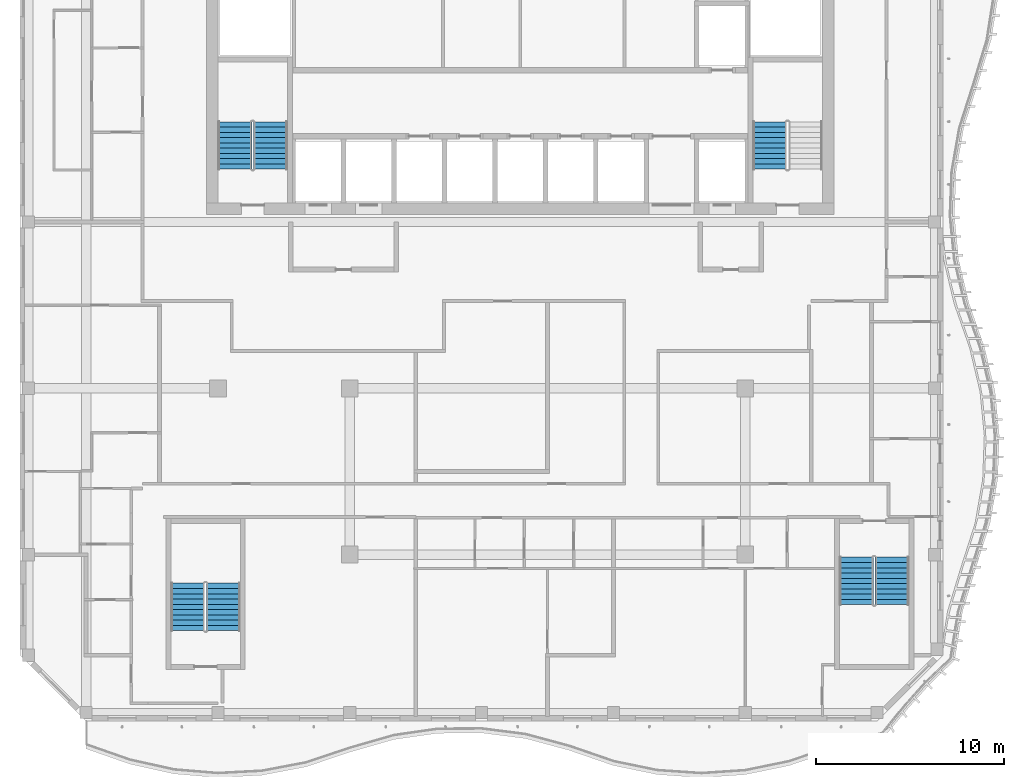
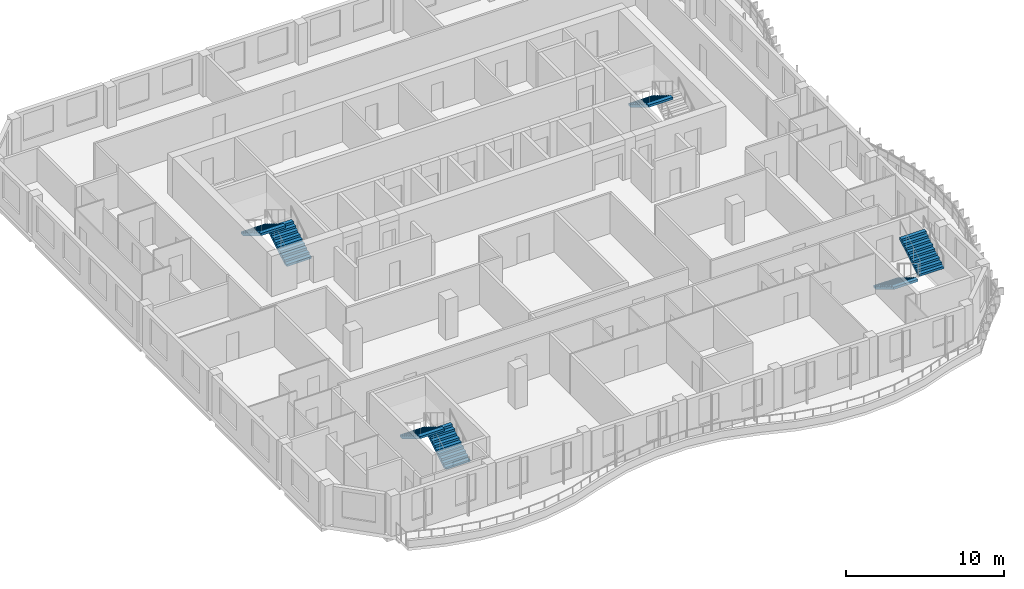
# One storey, part 10 of 18: 7 stair flights, 4 elements without a shape of their own.
"""IFC4 building model written with IfcOpenShell, lengths in metres."""

from ifc_helpers import new_model, si_unit, direction, frame, origin, place, context, subcontext, project, spatial, triangles, source, transform, mapped, material, type_object, element, aggregate, save


model = new_model("IFC4")

# Units and contexts
model_context = context("Model", 3, precision=1e-05, world=origin(), true_north=direction((0.0, 1.0)))
body_context = subcontext(model_context, "Body", "Model", "MODEL_VIEW")
ifc_project = project(units=[si_unit("LENGTHUNIT", "METRE"), si_unit("AREAUNIT", "SQUARE_METRE"), si_unit("VOLUMEUNIT", "CUBIC_METRE"), si_unit("PLANEANGLEUNIT", "RADIAN"), si_unit("MASSUNIT", "GRAM", prefix="KILO")], contexts=[model_context])

# Site, building, storey
site_placement = place(None, origin())
site = spatial("IfcSite", under=ifc_project, at=site_placement, CompositionType="ELEMENT")
building_placement = place(site_placement, origin())
building = spatial("IfcBuilding", under=site, at=building_placement, Name="Kilnfold Tower and Market Hall", CompositionType="ELEMENT")
storey_placement = place(building_placement, frame((0.0, 0.0, 270.39990234375)))
storey = spatial("IfcBuildingStorey", under=building, at=storey_placement, Name="L66", CompositionType="ELEMENT", Elevation=270.39990234375)

# Stair, stair flights
ifc_material_1 = material(Name="Concrete C40/50", Category="concrete")
stair_type = type_object("IfcStairType", Name="CORE STAIR 1800", PredefinedType="HALF_TURN_STAIR", material=ifc_material_1)
stair_1_placement = place(storey_placement, origin())
stair_1 = element("IfcStair", 1, at=stair_1_placement, inside=storey, type_object=stair_type, Name="L66 ST1", PredefinedType="HALF_TURN_STAIR")
ifc_material_2 = material(Name="Concrete C40/50", Category="concrete")
stair_flight_type = type_object("IfcStairFlightType", Name="CORE STAIR FLIGHT 1800", PredefinedType="STRAIGHT", material=ifc_material_2)
shared_shape = source(origin(), body_context, "Body", "Tessellation", [
    triangles([(0.0, 0.89990234375, 0.0), (0.0, 0.78759765625, 0.0), (0.0, 0.675048828125, 0.0), (0.0, 0.5625, 0.0), (0.0, 0.449951171875, 0.0), (0.0, 0.33740234375, 0.0), (0.0, 0.22509765625, 0.0), (0.0, 0.112548828125, 0.0), (0.0, 0.0, 0.0), (0.0, -0.112548828125, 0.0), (0.0, -0.22509765625, 0.0), (0.0, -0.33740234375, 0.0), (0.0, -0.449951171875, 0.0), (0.0, -0.5625, 0.0), (0.0, -0.675048828125, 0.0), (0.0, -0.78759765625, 0.0), (0.0, -0.89990234375, 0.0), (0.0, 0.89990234375, 0.169921875), (0.0, 0.78759765625, 0.169921875), (0.0, 0.675048828125, 0.169921875), (0.0, 0.5625, 0.169921875), (0.0, 0.449951171875, 0.169921875), (0.0, 0.33740234375, 0.169921875), (0.0, 0.22509765625, 0.169921875), (0.0, 0.112548828125, 0.169921875), (0.0, 0.0, 0.169921875), (0.0, -0.112548828125, 0.169921875), (0.0, -0.22509765625, 0.169921875), (0.0, -0.33740234375, 0.169921875), (0.0, -0.449951171875, 0.169921875), (0.0, -0.5625, 0.169921875), (0.0, -0.675048828125, 0.169921875), (0.0, -0.78759765625, 0.169921875), (0.0, -0.89990234375, 0.169921875), (0.280029296875, 0.89990234375, 0.169921875), (0.280029296875, 0.78759765625, 0.169921875), (0.280029296875, 0.675048828125, 0.169921875), (0.280029296875, 0.5625, 0.169921875), (0.280029296875, 0.449951171875, 0.169921875), (0.280029296875, 0.33740234375, 0.169921875), (0.280029296875, 0.22509765625, 0.169921875), (0.280029296875, 0.112548828125, 0.169921875), (0.280029296875, 0.0, 0.169921875), (0.280029296875, -0.112548828125, 0.169921875), (0.280029296875, -0.22509765625, 0.169921875), (0.280029296875, -0.33740234375, 0.169921875), (0.280029296875, -0.449951171875, 0.169921875), (0.280029296875, -0.5625, 0.169921875), (0.280029296875, -0.675048828125, 0.169921875), (0.280029296875, -0.78759765625, 0.169921875), (0.280029296875, -0.89990234375, 0.169921875), (0.280029296875, 0.89990234375, 0.340087890625), (0.280029296875, 0.78759765625, 0.340087890625), (0.280029296875, 0.675048828125, 0.340087890625), (0.280029296875, 0.5625, 0.340087890625), (0.280029296875, 0.449951171875, 0.340087890625), (0.280029296875, 0.33740234375, 0.340087890625), (0.280029296875, 0.22509765625, 0.340087890625), (0.280029296875, 0.112548828125, 0.340087890625), (0.280029296875, 0.0, 0.340087890625), (0.280029296875, -0.112548828125, 0.340087890625), (0.280029296875, -0.22509765625, 0.340087890625), (0.280029296875, -0.33740234375, 0.340087890625), (0.280029296875, -0.449951171875, 0.340087890625), (0.280029296875, -0.5625, 0.340087890625), (0.280029296875, -0.675048828125, 0.340087890625), (0.280029296875, -0.78759765625, 0.340087890625), (0.280029296875, -0.89990234375, 0.340087890625), (0.56005859375, 0.89990234375, 0.340087890625), (0.56005859375, 0.78759765625, 0.340087890625), (0.56005859375, 0.675048828125, 0.340087890625), (0.56005859375, 0.5625, 0.340087890625), (0.56005859375, 0.449951171875, 0.340087890625), (0.56005859375, 0.33740234375, 0.340087890625), (0.56005859375, 0.22509765625, 0.340087890625), (0.56005859375, 0.112548828125, 0.340087890625), (0.56005859375, 0.0, 0.340087890625), (0.56005859375, -0.112548828125, 0.340087890625), (0.56005859375, -0.22509765625, 0.340087890625), (0.56005859375, -0.33740234375, 0.340087890625), (0.56005859375, -0.449951171875, 0.340087890625), (0.56005859375, -0.5625, 0.340087890625), (0.56005859375, -0.675048828125, 0.340087890625), (0.56005859375, -0.78759765625, 0.340087890625), (0.56005859375, -0.89990234375, 0.340087890625), (0.56005859375, 0.89990234375, 0.510009765625), (0.56005859375, 0.78759765625, 0.510009765625), (0.56005859375, 0.675048828125, 0.510009765625), (0.56005859375, 0.5625, 0.510009765625), (0.56005859375, 0.449951171875, 0.510009765625), (0.56005859375, 0.33740234375, 0.510009765625), (0.56005859375, 0.22509765625, 0.510009765625), (0.56005859375, 0.112548828125, 0.510009765625), (0.56005859375, 0.0, 0.510009765625), (0.56005859375, -0.112548828125, 0.510009765625), (0.56005859375, -0.22509765625, 0.510009765625), (0.56005859375, -0.33740234375, 0.510009765625), (0.56005859375, -0.449951171875, 0.510009765625), (0.56005859375, -0.5625, 0.510009765625), (0.56005859375, -0.675048828125, 0.510009765625), (0.56005859375, -0.78759765625, 0.510009765625), (0.56005859375, -0.89990234375, 0.510009765625), (0.840087890625, 0.89990234375, 0.510009765625), (0.840087890625, 0.78759765625, 0.510009765625), (0.840087890625, 0.675048828125, 0.510009765625), (0.840087890625, 0.5625, 0.510009765625), (0.840087890625, 0.449951171875, 0.510009765625), (0.840087890625, 0.33740234375, 0.510009765625), (0.840087890625, 0.22509765625, 0.510009765625), (0.840087890625, 0.112548828125, 0.510009765625), (0.840087890625, 0.0, 0.510009765625), (0.840087890625, -0.112548828125, 0.510009765625), (0.840087890625, -0.22509765625, 0.510009765625), (0.840087890625, -0.33740234375, 0.510009765625), (0.840087890625, -0.449951171875, 0.510009765625), (0.840087890625, -0.5625, 0.510009765625), (0.840087890625, -0.675048828125, 0.510009765625), (0.840087890625, -0.78759765625, 0.510009765625), (0.840087890625, -0.89990234375, 0.510009765625), (0.840087890625, 0.89990234375, 0.679931640625), (0.840087890625, 0.78759765625, 0.679931640625), (0.840087890625, 0.675048828125, 0.679931640625), (0.840087890625, 0.5625, 0.679931640625), (0.840087890625, 0.449951171875, 0.679931640625), (0.840087890625, 0.33740234375, 0.679931640625), (0.840087890625, 0.22509765625, 0.679931640625), (0.840087890625, 0.112548828125, 0.679931640625), (0.840087890625, 0.0, 0.679931640625), (0.840087890625, -0.112548828125, 0.679931640625), (0.840087890625, -0.22509765625, 0.679931640625), (0.840087890625, -0.33740234375, 0.679931640625), (0.840087890625, -0.449951171875, 0.679931640625), (0.840087890625, -0.5625, 0.679931640625), (0.840087890625, -0.675048828125, 0.679931640625), (0.840087890625, -0.78759765625, 0.679931640625), (0.840087890625, -0.89990234375, 0.679931640625), (1.1201171875, 0.89990234375, 0.679931640625), (1.1201171875, 0.78759765625, 0.679931640625), (1.1201171875, 0.675048828125, 0.679931640625), (1.1201171875, 0.5625, 0.679931640625), (1.1201171875, 0.449951171875, 0.679931640625), (1.1201171875, 0.33740234375, 0.679931640625), (1.1201171875, 0.22509765625, 0.679931640625), (1.1201171875, 0.112548828125, 0.679931640625), (1.1201171875, 0.0, 0.679931640625), (1.1201171875, -0.112548828125, 0.679931640625), (1.1201171875, -0.22509765625, 0.679931640625), (1.1201171875, -0.33740234375, 0.679931640625), (1.1201171875, -0.449951171875, 0.679931640625), (1.1201171875, -0.5625, 0.679931640625), (1.1201171875, -0.675048828125, 0.679931640625), (1.1201171875, -0.78759765625, 0.679931640625), (1.1201171875, -0.89990234375, 0.679931640625), (1.1201171875, 0.89990234375, 0.85009765625), (1.1201171875, 0.78759765625, 0.85009765625), (1.1201171875, 0.675048828125, 0.85009765625), (1.1201171875, 0.5625, 0.85009765625), (1.1201171875, 0.449951171875, 0.85009765625), (1.1201171875, 0.33740234375, 0.85009765625), (1.1201171875, 0.22509765625, 0.85009765625), (1.1201171875, 0.112548828125, 0.85009765625), (1.1201171875, 0.0, 0.85009765625), (1.1201171875, -0.112548828125, 0.85009765625), (1.1201171875, -0.22509765625, 0.85009765625), (1.1201171875, -0.33740234375, 0.85009765625), (1.1201171875, -0.449951171875, 0.85009765625), (1.1201171875, -0.5625, 0.85009765625), (1.1201171875, -0.675048828125, 0.85009765625), (1.1201171875, -0.78759765625, 0.85009765625), (1.1201171875, -0.89990234375, 0.85009765625), (1.39990234375, 0.89990234375, 0.85009765625), (1.39990234375, 0.78759765625, 0.85009765625), (1.39990234375, 0.675048828125, 0.85009765625), (1.39990234375, 0.5625, 0.85009765625), (1.39990234375, 0.449951171875, 0.85009765625), (1.39990234375, 0.33740234375, 0.85009765625), (1.39990234375, 0.22509765625, 0.85009765625), (1.39990234375, 0.112548828125, 0.85009765625), (1.39990234375, 0.0, 0.85009765625), (1.39990234375, -0.112548828125, 0.85009765625), (1.39990234375, -0.22509765625, 0.85009765625), (1.39990234375, -0.33740234375, 0.85009765625), (1.39990234375, -0.449951171875, 0.85009765625), (1.39990234375, -0.5625, 0.85009765625), (1.39990234375, -0.675048828125, 0.85009765625), (1.39990234375, -0.78759765625, 0.85009765625), (1.39990234375, -0.89990234375, 0.85009765625), (1.39990234375, 0.89990234375, 1.02001953125), (1.39990234375, 0.78759765625, 1.02001953125), (1.39990234375, 0.675048828125, 1.02001953125), (1.39990234375, 0.5625, 1.02001953125), (1.39990234375, 0.449951171875, 1.02001953125), (1.39990234375, 0.33740234375, 1.02001953125), (1.39990234375, 0.22509765625, 1.02001953125), (1.39990234375, 0.112548828125, 1.02001953125), (1.39990234375, 0.0, 1.02001953125), (1.39990234375, -0.112548828125, 1.02001953125), (1.39990234375, -0.22509765625, 1.02001953125), (1.39990234375, -0.33740234375, 1.02001953125), (1.39990234375, -0.449951171875, 1.02001953125), (1.39990234375, -0.5625, 1.02001953125), (1.39990234375, -0.675048828125, 1.02001953125), (1.39990234375, -0.78759765625, 1.02001953125), (1.39990234375, -0.89990234375, 1.02001953125), (1.679931640625, 0.89990234375, 1.02001953125), (1.679931640625, 0.78759765625, 1.02001953125), (1.679931640625, 0.675048828125, 1.02001953125), (1.679931640625, 0.5625, 1.02001953125), (1.679931640625, 0.449951171875, 1.02001953125), (1.679931640625, 0.33740234375, 1.02001953125), (1.679931640625, 0.22509765625, 1.02001953125), (1.679931640625, 0.112548828125, 1.02001953125), (1.679931640625, 0.0, 1.02001953125), (1.679931640625, -0.112548828125, 1.02001953125), (1.679931640625, -0.22509765625, 1.02001953125), (1.679931640625, -0.33740234375, 1.02001953125), (1.679931640625, -0.449951171875, 1.02001953125), (1.679931640625, -0.5625, 1.02001953125), (1.679931640625, -0.675048828125, 1.02001953125), (1.679931640625, -0.78759765625, 1.02001953125), (1.679931640625, -0.89990234375, 1.02001953125), (1.679931640625, 0.89990234375, 1.18994140625), (1.679931640625, 0.78759765625, 1.18994140625), (1.679931640625, 0.675048828125, 1.18994140625), (1.679931640625, 0.5625, 1.18994140625), (1.679931640625, 0.449951171875, 1.18994140625), (1.679931640625, 0.33740234375, 1.18994140625), (1.679931640625, 0.22509765625, 1.18994140625), (1.679931640625, 0.112548828125, 1.18994140625), (1.679931640625, 0.0, 1.18994140625), (1.679931640625, -0.112548828125, 1.18994140625), (1.679931640625, -0.22509765625, 1.18994140625), (1.679931640625, -0.33740234375, 1.18994140625), (1.679931640625, -0.449951171875, 1.18994140625), (1.679931640625, -0.5625, 1.18994140625), (1.679931640625, -0.675048828125, 1.18994140625), (1.679931640625, -0.78759765625, 1.18994140625), (1.679931640625, -0.89990234375, 1.18994140625), (1.9599609375, 0.89990234375, 1.18994140625), (1.9599609375, 0.78759765625, 1.18994140625), (1.9599609375, 0.675048828125, 1.18994140625), (1.9599609375, 0.5625, 1.18994140625), (1.9599609375, 0.449951171875, 1.18994140625), (1.9599609375, 0.33740234375, 1.18994140625), (1.9599609375, 0.22509765625, 1.18994140625), (1.9599609375, 0.112548828125, 1.18994140625), (1.9599609375, 0.0, 1.18994140625), (1.9599609375, -0.112548828125, 1.18994140625), (1.9599609375, -0.22509765625, 1.18994140625), (1.9599609375, -0.33740234375, 1.18994140625), (1.9599609375, -0.449951171875, 1.18994140625), (1.9599609375, -0.5625, 1.18994140625), (1.9599609375, -0.675048828125, 1.18994140625), (1.9599609375, -0.78759765625, 1.18994140625), (1.9599609375, -0.89990234375, 1.18994140625), (1.9599609375, 0.89990234375, 1.360107421875), (1.9599609375, 0.78759765625, 1.360107421875), (1.9599609375, 0.675048828125, 1.360107421875), (1.9599609375, 0.5625, 1.360107421875), (1.9599609375, 0.449951171875, 1.360107421875), (1.9599609375, 0.33740234375, 1.360107421875), (1.9599609375, 0.22509765625, 1.360107421875), (1.9599609375, 0.112548828125, 1.360107421875), (1.9599609375, 0.0, 1.360107421875), (1.9599609375, -0.112548828125, 1.360107421875), (1.9599609375, -0.22509765625, 1.360107421875), (1.9599609375, -0.33740234375, 1.360107421875), (1.9599609375, -0.449951171875, 1.360107421875), (1.9599609375, -0.5625, 1.360107421875), (1.9599609375, -0.675048828125, 1.360107421875), (1.9599609375, -0.78759765625, 1.360107421875), (1.9599609375, -0.89990234375, 1.360107421875), (2.239990234375, 0.89990234375, 1.360107421875), (2.239990234375, 0.78759765625, 1.360107421875), (2.239990234375, 0.675048828125, 1.360107421875), (2.239990234375, 0.5625, 1.360107421875), (2.239990234375, 0.449951171875, 1.360107421875), (2.239990234375, 0.33740234375, 1.360107421875), (2.239990234375, 0.22509765625, 1.360107421875), (2.239990234375, 0.112548828125, 1.360107421875), (2.239990234375, 0.0, 1.360107421875), (2.239990234375, -0.112548828125, 1.360107421875), (2.239990234375, -0.22509765625, 1.360107421875), (2.239990234375, -0.33740234375, 1.360107421875), (2.239990234375, -0.449951171875, 1.360107421875), (2.239990234375, -0.5625, 1.360107421875), (2.239990234375, -0.675048828125, 1.360107421875), (2.239990234375, -0.78759765625, 1.360107421875), (2.239990234375, -0.89990234375, 1.360107421875), (2.239990234375, 0.89990234375, 1.530029296875), (2.239990234375, 0.78759765625, 1.530029296875), (2.239990234375, 0.675048828125, 1.530029296875), (2.239990234375, 0.5625, 1.530029296875), (2.239990234375, 0.449951171875, 1.530029296875), (2.239990234375, 0.33740234375, 1.530029296875), (2.239990234375, 0.22509765625, 1.530029296875), (2.239990234375, 0.112548828125, 1.530029296875), (2.239990234375, 0.0, 1.530029296875), (2.239990234375, -0.112548828125, 1.530029296875), (2.239990234375, -0.22509765625, 1.530029296875), (2.239990234375, -0.33740234375, 1.530029296875), (2.239990234375, -0.449951171875, 1.530029296875), (2.239990234375, -0.5625, 1.530029296875), (2.239990234375, -0.675048828125, 1.530029296875), (2.239990234375, -0.78759765625, 1.530029296875), (2.239990234375, -0.89990234375, 1.530029296875), (2.52001953125, 0.89990234375, 1.530029296875), (2.52001953125, 0.78759765625, 1.530029296875), (2.52001953125, 0.675048828125, 1.530029296875), (2.52001953125, 0.5625, 1.530029296875), (2.52001953125, 0.449951171875, 1.530029296875), (2.52001953125, 0.33740234375, 1.530029296875), (2.52001953125, 0.22509765625, 1.530029296875), (2.52001953125, 0.112548828125, 1.530029296875), (2.52001953125, 0.0, 1.530029296875), (2.52001953125, -0.112548828125, 1.530029296875), (2.52001953125, -0.22509765625, 1.530029296875), (2.52001953125, -0.33740234375, 1.530029296875), (2.52001953125, -0.449951171875, 1.530029296875), (2.52001953125, -0.5625, 1.530029296875), (2.52001953125, -0.675048828125, 1.530029296875), (2.52001953125, -0.78759765625, 1.530029296875), (2.52001953125, -0.89990234375, 1.530029296875), (2.52001953125, 0.89990234375, 1.354736328125), (2.52001953125, 0.78759765625, 1.354736328125), (2.52001953125, 0.675048828125, 1.354736328125), (2.52001953125, 0.5625, 1.354736328125), (2.52001953125, 0.449951171875, 1.354736328125), (2.52001953125, 0.33740234375, 1.354736328125), (2.52001953125, 0.22509765625, 1.354736328125), (2.52001953125, 0.112548828125, 1.354736328125), (2.52001953125, 0.0, 1.354736328125), (2.52001953125, -0.112548828125, 1.354736328125), (2.52001953125, -0.22509765625, 1.354736328125), (2.52001953125, -0.33740234375, 1.354736328125), (2.52001953125, -0.449951171875, 1.354736328125), (2.52001953125, -0.5625, 1.354736328125), (2.52001953125, -0.675048828125, 1.354736328125), (2.52001953125, -0.78759765625, 1.354736328125), (2.52001953125, -0.89990234375, 1.354736328125), (0.288818359375, 0.89990234375, 0.0), (0.288818359375, 0.78759765625, 0.0), (0.288818359375, 0.675048828125, 0.0), (0.288818359375, 0.5625, 0.0), (0.288818359375, 0.449951171875, 0.0), (0.288818359375, 0.33740234375, 0.0), (0.288818359375, 0.22509765625, 0.0), (0.288818359375, 0.112548828125, 0.0), (0.288818359375, 0.0, 0.0), (0.288818359375, -0.112548828125, 0.0), (0.288818359375, -0.22509765625, 0.0), (0.288818359375, -0.33740234375, 0.0), (0.288818359375, -0.449951171875, 0.0), (0.288818359375, -0.5625, 0.0), (0.288818359375, -0.675048828125, 0.0), (0.288818359375, -0.78759765625, 0.0), (0.288818359375, -0.89990234375, 0.0)], [[1, 324, 341], [17, 357, 340], [324, 290, 307], [340, 323, 306], [324, 273, 290], [340, 306, 289], [324, 256, 273], [340, 289, 272], [324, 239, 256], [340, 272, 255], [239, 205, 222], [255, 238, 221], [324, 205, 239], [340, 255, 221], [205, 171, 188], [221, 204, 187], [324, 171, 205], [340, 221, 187], [171, 137, 154], [187, 170, 153], [324, 137, 171], [340, 187, 153], [137, 103, 120], [153, 136, 119], [324, 103, 137], [340, 153, 119], [103, 69, 86], [119, 102, 85], [324, 69, 103], [340, 119, 85], [69, 35, 52], [85, 68, 51], [324, 35, 69], [340, 85, 51], [1, 35, 324], [17, 340, 51], [35, 1, 18], [51, 34, 17], [1, 19, 18], [1, 2, 19], [2, 20, 19], [2, 3, 20], [3, 21, 20], [3, 4, 21], [4, 22, 21], [4, 5, 22], [5, 23, 22], [5, 6, 23], [6, 24, 23], [6, 7, 24], [7, 25, 24], [7, 8, 25], [8, 26, 25], [8, 9, 26], [9, 27, 26], [9, 10, 27], [10, 28, 27], [10, 11, 28], [11, 29, 28], [11, 12, 29], [12, 30, 29], [12, 13, 30], [13, 31, 30], [13, 14, 31], [14, 32, 31], [14, 15, 32], [15, 33, 32], [15, 16, 33], [16, 34, 33], [16, 17, 34], [18, 36, 35], [18, 19, 36], [19, 37, 36], [19, 20, 37], [20, 38, 37], [20, 21, 38], [21, 39, 38], [21, 22, 39], [22, 40, 39], [22, 23, 40], [23, 41, 40], [23, 24, 41], [24, 42, 41], [24, 25, 42], [25, 43, 42], [25, 26, 43], [26, 44, 43], [26, 27, 44], [27, 45, 44], [27, 28, 45], [28, 46, 45], [28, 29, 46], [29, 47, 46], [29, 30, 47], [30, 48, 47], [30, 31, 48], [31, 49, 48], [31, 32, 49], [32, 50, 49], [32, 33, 50], [33, 51, 50], [33, 34, 51], [35, 53, 52], [35, 36, 53], [36, 54, 53], [36, 37, 54], [37, 55, 54], [37, 38, 55], [38, 56, 55], [38, 39, 56], [39, 57, 56], [39, 40, 57], [40, 58, 57], [40, 41, 58], [41, 59, 58], [41, 42, 59], [42, 60, 59], [42, 43, 60], [43, 61, 60], [43, 44, 61], [44, 62, 61], [44, 45, 62], [45, 63, 62], [45, 46, 63], [46, 64, 63], [46, 47, 64], [47, 65, 64], [47, 48, 65], [48, 66, 65], [48, 49, 66], [49, 67, 66], [49, 50, 67], [50, 68, 67], [50, 51, 68], [52, 70, 69], [52, 53, 70], [53, 71, 70], [53, 54, 71], [54, 72, 71], [54, 55, 72], [55, 73, 72], [55, 56, 73], [56, 74, 73], [56, 57, 74], [57, 75, 74], [57, 58, 75], [58, 76, 75], [58, 59, 76], [59, 77, 76], [59, 60, 77], [60, 78, 77], [60, 61, 78], [61, 79, 78], [61, 62, 79], [62, 80, 79], [62, 63, 80], [63, 81, 80], [63, 64, 81], [64, 82, 81], [64, 65, 82], [65, 83, 82], [65, 66, 83], [66, 84, 83], [66, 67, 84], [67, 85, 84], [67, 68, 85], [69, 87, 86], [69, 70, 87], [70, 88, 87], [70, 71, 88], [71, 89, 88], [71, 72, 89], [72, 90, 89], [72, 73, 90], [73, 91, 90], [73, 74, 91], [74, 92, 91], [74, 75, 92], [75, 93, 92], [75, 76, 93], [76, 94, 93], [76, 77, 94], [77, 95, 94], [77, 78, 95], [78, 96, 95], [78, 79, 96], [79, 97, 96], [79, 80, 97], [80, 98, 97], [80, 81, 98], [81, 99, 98], [81, 82, 99], [82, 100, 99], [82, 83, 100], [83, 101, 100], [83, 84, 101], [84, 102, 101], [84, 85, 102], [86, 104, 103], [86, 87, 104], [87, 105, 104], [87, 88, 105], [88, 106, 105], [88, 89, 106], [89, 107, 106], [89, 90, 107], [90, 108, 107], [90, 91, 108], [91, 109, 108], [91, 92, 109], [92, 110, 109], [92, 93, 110], [93, 111, 110], [93, 94, 111], [94, 112, 111], [94, 95, 112], [95, 113, 112], [95, 96, 113], [96, 114, 113], [96, 97, 114], [97, 115, 114], [97, 98, 115], [98, 116, 115], [98, 99, 116], [99, 117, 116], [99, 100, 117], [100, 118, 117], [100, 101, 118], [101, 119, 118], [101, 102, 119], [103, 121, 120], [103, 104, 121], [104, 122, 121], [104, 105, 122], [105, 123, 122], [105, 106, 123], [106, 124, 123], [106, 107, 124], [107, 125, 124], [107, 108, 125], [108, 126, 125], [108, 109, 126], [109, 127, 126], [109, 110, 127], [110, 128, 127], [110, 111, 128], [111, 129, 128], [111, 112, 129], [112, 130, 129], [112, 113, 130], [113, 131, 130], [113, 114, 131], [114, 132, 131], [114, 115, 132], [115, 133, 132], [115, 116, 133], [116, 134, 133], [116, 117, 134], [117, 135, 134], [117, 118, 135], [118, 136, 135], [118, 119, 136], [120, 138, 137], [120, 121, 138], [121, 139, 138], [121, 122, 139], [122, 140, 139], [122, 123, 140], [123, 141, 140], [123, 124, 141], [124, 142, 141], [124, 125, 142], [125, 143, 142], [125, 126, 143], [126, 144, 143], [126, 127, 144], [127, 145, 144], [127, 128, 145], [128, 146, 145], [128, 129, 146], [129, 147, 146], [129, 130, 147], [130, 148, 147], [130, 131, 148], [131, 149, 148], [131, 132, 149], [132, 150, 149], [132, 133, 150], [133, 151, 150], [133, 134, 151], [134, 152, 151], [134, 135, 152], [135, 153, 152], [135, 136, 153], [137, 155, 154], [137, 138, 155], [138, 156, 155], [138, 139, 156], [139, 157, 156], [139, 140, 157], [140, 158, 157], [140, 141, 158], [141, 159, 158], [141, 142, 159], [142, 160, 159], [142, 143, 160], [143, 161, 160], [143, 144, 161], [144, 162, 161], [144, 145, 162], [145, 163, 162], [145, 146, 163], [146, 164, 163], [146, 147, 164], [147, 165, 164], [147, 148, 165], [148, 166, 165], [148, 149, 166], [149, 167, 166], [149, 150, 167], [150, 168, 167], [150, 151, 168], [151, 169, 168], [151, 152, 169], [152, 170, 169], [152, 153, 170], [154, 172, 171], [154, 155, 172], [155, 173, 172], [155, 156, 173], [156, 174, 173], [156, 157, 174], [157, 175, 174], [157, 158, 175], [158, 176, 175], [158, 159, 176], [159, 177, 176], [159, 160, 177], [160, 178, 177], [160, 161, 178], [161, 179, 178], [161, 162, 179], [162, 180, 179], [162, 163, 180], [163, 181, 180], [163, 164, 181], [164, 182, 181], [164, 165, 182], [165, 183, 182], [165, 166, 183], [166, 184, 183], [166, 167, 184], [167, 185, 184], [167, 168, 185], [168, 186, 185], [168, 169, 186], [169, 187, 186], [169, 170, 187], [171, 189, 188], [171, 172, 189], [172, 190, 189], [172, 173, 190], [173, 191, 190], [173, 174, 191], [174, 192, 191], [174, 175, 192], [175, 193, 192], [175, 176, 193], [176, 194, 193], [176, 177, 194], [177, 195, 194], [177, 178, 195], [178, 196, 195], [178, 179, 196], [179, 197, 196], [179, 180, 197], [180, 198, 197], [180, 181, 198], [181, 199, 198], [181, 182, 199], [182, 200, 199], [182, 183, 200], [183, 201, 200], [183, 184, 201], [184, 202, 201], [184, 185, 202], [185, 203, 202], [185, 186, 203], [186, 204, 203], [186, 187, 204], [188, 206, 205], [188, 189, 206], [189, 207, 206], [189, 190, 207], [190, 208, 207], [190, 191, 208], [191, 209, 208], [191, 192, 209], [192, 210, 209], [192, 193, 210], [193, 211, 210], [193, 194, 211], [194, 212, 211], [194, 195, 212], [195, 213, 212], [195, 196, 213], [196, 214, 213], [196, 197, 214], [197, 215, 214], [197, 198, 215], [198, 216, 215], [198, 199, 216], [199, 217, 216], [199, 200, 217], [200, 218, 217], [200, 201, 218], [201, 219, 218], [201, 202, 219], [202, 220, 219], [202, 203, 220], [203, 221, 220], [203, 204, 221], [205, 223, 222], [205, 206, 223], [206, 224, 223], [206, 207, 224], [207, 225, 224], [207, 208, 225], [208, 226, 225], [208, 209, 226], [209, 227, 226], [209, 210, 227], [210, 228, 227], [210, 211, 228], [211, 229, 228], [211, 212, 229], [212, 230, 229], [212, 213, 230], [213, 231, 230], [213, 214, 231], [214, 232, 231], [214, 215, 232], [215, 233, 232], [215, 216, 233], [216, 234, 233], [216, 217, 234], [217, 235, 234], [217, 218, 235], [218, 236, 235], [218, 219, 236], [219, 237, 236], [219, 220, 237], [220, 238, 237], [220, 221, 238], [222, 240, 239], [222, 223, 240], [223, 241, 240], [223, 224, 241], [224, 242, 241], [224, 225, 242], [225, 243, 242], [225, 226, 243], [226, 244, 243], [226, 227, 244], [227, 245, 244], [227, 228, 245], [228, 246, 245], [228, 229, 246], [229, 247, 246], [229, 230, 247], [230, 248, 247], [230, 231, 248], [231, 249, 248], [231, 232, 249], [232, 250, 249], [232, 233, 250], [233, 251, 250], [233, 234, 251], [234, 252, 251], [234, 235, 252], [235, 253, 252], [235, 236, 253], [236, 254, 253], [236, 237, 254], [237, 255, 254], [237, 238, 255], [239, 257, 256], [239, 240, 257], [240, 258, 257], [240, 241, 258], [241, 259, 258], [241, 242, 259], [242, 260, 259], [242, 243, 260], [243, 261, 260], [243, 244, 261], [244, 262, 261], [244, 245, 262], [245, 263, 262], [245, 246, 263], [246, 264, 263], [246, 247, 264], [247, 265, 264], [247, 248, 265], [248, 266, 265], [248, 249, 266], [249, 267, 266], [249, 250, 267], [250, 268, 267], [250, 251, 268], [251, 269, 268], [251, 252, 269], [252, 270, 269], [252, 253, 270], [253, 271, 270], [253, 254, 271], [254, 272, 271], [254, 255, 272], [256, 274, 273], [256, 257, 274], [257, 275, 274], [257, 258, 275], [258, 276, 275], [258, 259, 276], [259, 277, 276], [259, 260, 277], [260, 278, 277], [260, 261, 278], [261, 279, 278], [261, 262, 279], [262, 280, 279], [262, 263, 280], [263, 281, 280], [263, 264, 281], [264, 282, 281], [264, 265, 282], [265, 283, 282], [265, 266, 283], [266, 284, 283], [266, 267, 284], [267, 285, 284], [267, 268, 285], [268, 286, 285], [268, 269, 286], [269, 287, 286], [269, 270, 287], [270, 288, 287], [270, 271, 288], [271, 289, 288], [271, 272, 289], [273, 291, 290], [273, 274, 291], [274, 292, 291], [274, 275, 292], [275, 293, 292], [275, 276, 293], [276, 294, 293], [276, 277, 294], [277, 295, 294], [277, 278, 295], [278, 296, 295], [278, 279, 296], [279, 297, 296], [279, 280, 297], [280, 298, 297], [280, 281, 298], [281, 299, 298], [281, 282, 299], [282, 300, 299], [282, 283, 300], [283, 301, 300], [283, 284, 301], [284, 302, 301], [284, 285, 302], [285, 303, 302], [285, 286, 303], [286, 304, 303], [286, 287, 304], [287, 305, 304], [287, 288, 305], [288, 306, 305], [288, 289, 306], [290, 308, 307], [290, 291, 308], [291, 309, 308], [291, 292, 309], [292, 310, 309], [292, 293, 310], [293, 311, 310], [293, 294, 311], [294, 312, 311], [294, 295, 312], [295, 313, 312], [295, 296, 313], [296, 314, 313], [296, 297, 314], [297, 315, 314], [297, 298, 315], [298, 316, 315], [298, 299, 316], [299, 317, 316], [299, 300, 317], [300, 318, 317], [300, 301, 318], [301, 319, 318], [301, 302, 319], [302, 320, 319], [302, 303, 320], [303, 321, 320], [303, 304, 321], [304, 322, 321], [304, 305, 322], [305, 323, 322], [305, 306, 323], [307, 325, 324], [307, 308, 325], [308, 326, 325], [308, 309, 326], [309, 327, 326], [309, 310, 327], [310, 328, 327], [310, 311, 328], [311, 329, 328], [311, 312, 329], [312, 330, 329], [312, 313, 330], [313, 331, 330], [313, 314, 331], [314, 332, 331], [314, 315, 332], [315, 333, 332], [315, 316, 333], [316, 334, 333], [316, 317, 334], [317, 335, 334], [317, 318, 335], [318, 336, 335], [318, 319, 336], [319, 337, 336], [319, 320, 337], [320, 338, 337], [320, 321, 338], [321, 339, 338], [321, 322, 339], [322, 340, 339], [322, 323, 340], [324, 342, 341], [324, 325, 342], [325, 343, 342], [325, 326, 343], [326, 344, 343], [326, 327, 344], [327, 345, 344], [327, 328, 345], [328, 346, 345], [328, 329, 346], [329, 347, 346], [329, 330, 347], [330, 348, 347], [330, 331, 348], [331, 349, 348], [331, 332, 349], [332, 350, 349], [332, 333, 350], [333, 351, 350], [333, 334, 351], [334, 352, 351], [334, 335, 352], [335, 353, 352], [335, 336, 353], [336, 354, 353], [336, 337, 354], [337, 355, 354], [337, 338, 355], [338, 356, 355], [338, 339, 356], [339, 357, 356], [339, 340, 357], [341, 2, 1], [341, 342, 2], [342, 3, 2], [342, 343, 3], [343, 4, 3], [343, 344, 4], [344, 5, 4], [344, 345, 5], [345, 6, 5], [345, 346, 6], [346, 7, 6], [346, 347, 7], [347, 8, 7], [347, 348, 8], [348, 9, 8], [348, 349, 9], [349, 10, 9], [349, 350, 10], [350, 11, 10], [350, 351, 11], [351, 12, 11], [351, 352, 12], [352, 13, 12], [352, 353, 13], [353, 14, 13], [353, 354, 14], [354, 15, 14], [354, 355, 15], [355, 16, 15], [355, 356, 16], [356, 17, 16], [356, 357, 17]], closed=True),
])
stair_flight_1_placement = place(storey_placement, frame((-12.199951171875, 10.800048828125, 0.0), z_axis=(0.0, 0.0, 1.0), x_axis=(0.0, 1.0, 0.0)))
stair_flight_1 = element("IfcStairFlight", 2, at=stair_flight_1_placement, type_object=stair_flight_type, Name="ST1 flight 1", NumberOfRisers=10, NumberOfTreads=9, PredefinedType="STRAIGHT", RiserHeight=0.17, TreadLength=0.28, context=body_context, shape_type="MappedRepresentation", body=[
    mapped(shared_shape, transform((0.0, 0.0, 0.0))),
])
stair_flight_2_placement = place(storey_placement, frame((-14.10009765625, 13.320068359375, 1.7001953125), z_axis=(0.0, 0.0, 1.0), x_axis=(0.0, -1.0, 0.0)))
stair_flight_2 = element("IfcStairFlight", 3, at=stair_flight_2_placement, type_object=stair_flight_type, Name="ST1 flight 2", NumberOfRisers=10, NumberOfTreads=9, PredefinedType="STRAIGHT", RiserHeight=0.17, TreadLength=0.28, context=body_context, shape_type="MappedRepresentation", body=[
    mapped(shared_shape, transform((0.0, 0.0, 0.0))),
])
aggregate(stair_1, [stair_flight_1, stair_flight_2])

# Stair, stair flight
stair_2_placement = place(storey_placement, origin())
stair_2 = element("IfcStair", 4, at=stair_2_placement, inside=storey, type_object=stair_type, Name="L66 ST2", PredefinedType="HALF_TURN_STAIR")
stair_flight_3_placement = place(storey_placement, frame((14.300048828125, 13.320068359375, 1.7001953125), z_axis=(0.0, 0.0, 1.0), x_axis=(0.0, -1.0, 0.0)))
stair_flight_3 = element("IfcStairFlight", 5, at=stair_flight_3_placement, type_object=stair_flight_type, Name="ST2 flight 2", NumberOfRisers=10, NumberOfTreads=9, PredefinedType="STRAIGHT", RiserHeight=0.17, TreadLength=0.28, context=body_context, shape_type="MappedRepresentation", body=[
    mapped(shared_shape, transform((0.0, 0.0, 0.0))),
])
aggregate(stair_2, [stair_flight_3])

# Stair, stair flights
stair_3_placement = place(storey_placement, origin())
stair_3 = element("IfcStair", 6, at=stair_3_placement, inside=storey, type_object=stair_type, Name="L66 ST3", PredefinedType="HALF_TURN_STAIR")
stair_flight_4_placement = place(storey_placement, frame((-14.699951171875, -13.699951171875, 0.0), z_axis=(0.0, 0.0, 1.0), x_axis=(0.0, 1.0, 0.0)))
stair_flight_4 = element("IfcStairFlight", 7, at=stair_flight_4_placement, type_object=stair_flight_type, Name="ST3 flight 1", NumberOfRisers=10, NumberOfTreads=9, PredefinedType="STRAIGHT", RiserHeight=0.17, TreadLength=0.28, context=body_context, shape_type="MappedRepresentation", body=[
    mapped(shared_shape, transform((0.0, 0.0, 0.0))),
])
stair_flight_5_placement = place(storey_placement, frame((-16.60009765625, -11.179931640625, 1.7001953125), z_axis=(0.0, 0.0, 1.0), x_axis=(0.0, -1.0, 0.0)))
stair_flight_5 = element("IfcStairFlight", 8, at=stair_flight_5_placement, type_object=stair_flight_type, Name="ST3 flight 2", NumberOfRisers=10, NumberOfTreads=9, PredefinedType="STRAIGHT", RiserHeight=0.17, TreadLength=0.28, context=body_context, shape_type="MappedRepresentation", body=[
    mapped(shared_shape, transform((0.0, 0.0, 0.0))),
])
aggregate(stair_3, [stair_flight_4, stair_flight_5])

stair_4_placement = place(storey_placement, origin())
stair_4 = element("IfcStair", 9, at=stair_4_placement, inside=storey, type_object=stair_type, Name="L66 ST4", PredefinedType="HALF_TURN_STAIR")
stair_flight_6_placement = place(storey_placement, frame((18.89990234375, -9.800048828125, 0.0), z_axis=(0.0, 0.0, 1.0), x_axis=(0.0, -1.0, 0.0)))
stair_flight_6 = element("IfcStairFlight", 10, at=stair_flight_6_placement, type_object=stair_flight_type, Name="ST4 flight 1", NumberOfRisers=10, NumberOfTreads=9, PredefinedType="STRAIGHT", RiserHeight=0.17, TreadLength=0.28, context=body_context, shape_type="MappedRepresentation", body=[
    mapped(shared_shape, transform((0.0, 0.0, 0.0))),
])
stair_flight_7_placement = place(storey_placement, frame((20.800048828125, -12.320068359375, 1.7001953125), z_axis=(0.0, 0.0, 1.0), x_axis=(0.0, 1.0, 0.0)))
stair_flight_7 = element("IfcStairFlight", 11, at=stair_flight_7_placement, type_object=stair_flight_type, Name="ST4 flight 2", NumberOfRisers=10, NumberOfTreads=9, PredefinedType="STRAIGHT", RiserHeight=0.17, TreadLength=0.28, context=body_context, shape_type="MappedRepresentation", body=[
    mapped(shared_shape, transform((0.0, 0.0, 0.0))),
])
aggregate(stair_4, [stair_flight_6, stair_flight_7])

save(model, "model.ifc")
